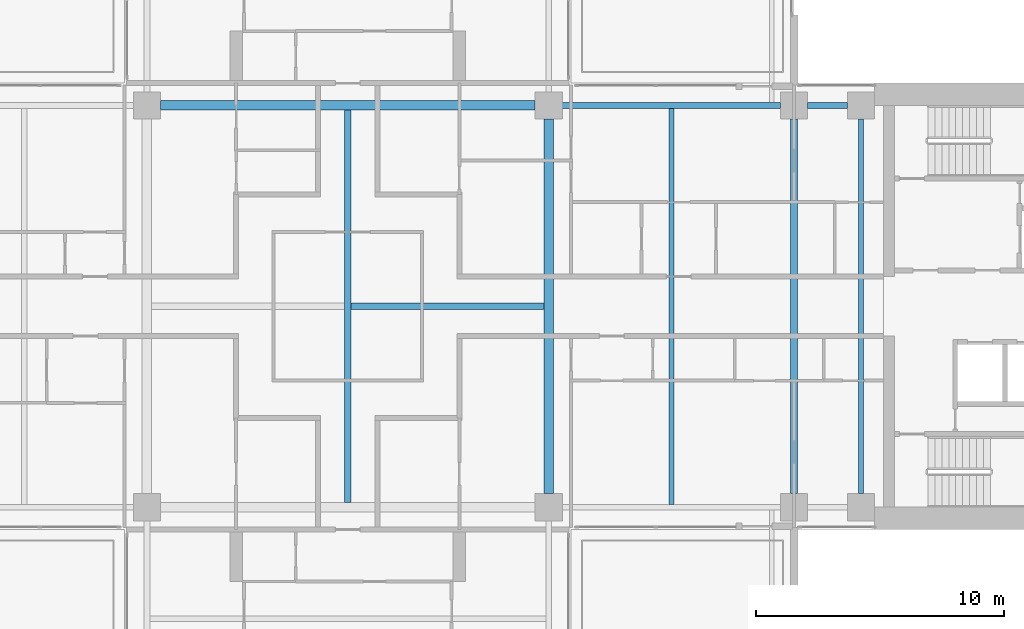
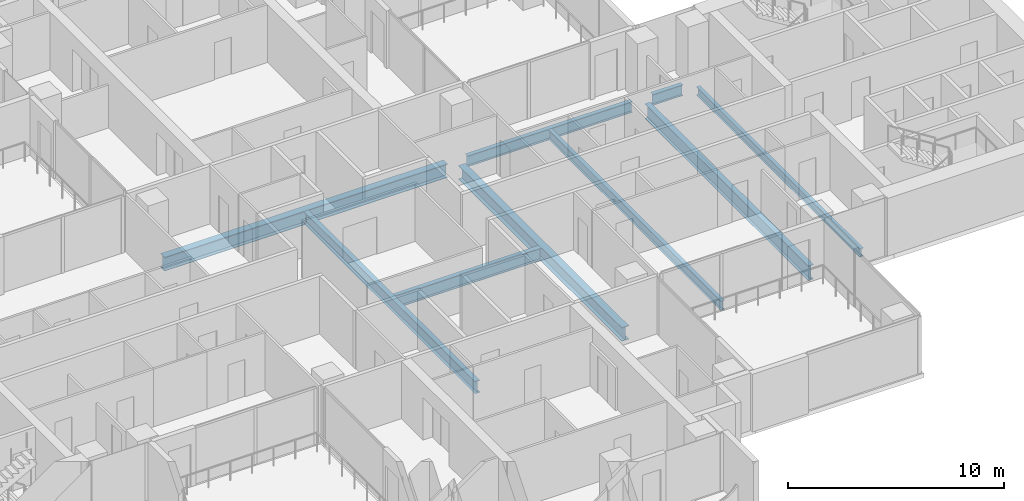
# One storey, part 4 of 18: 9 beams.
"""IFC4 building model written with IfcOpenShell, lengths in metres."""

from ifc_helpers import new_model, si_unit, direction, frame, origin, origin_2d, place, context, subcontext, project, spatial, i_section, extrude, material, material_profile, profile_set, type_object, element, save


model = new_model("IFC4")

# Units and contexts
model_context = context("Model", 3, precision=1e-05, world=origin(), true_north=direction((0.0, 1.0)))
body_context = subcontext(model_context, "Body", "Model", "MODEL_VIEW")
ifc_project = project(units=[si_unit("LENGTHUNIT", "METRE"), si_unit("AREAUNIT", "SQUARE_METRE"), si_unit("VOLUMEUNIT", "CUBIC_METRE"), si_unit("PLANEANGLEUNIT", "RADIAN"), si_unit("MASSUNIT", "GRAM", prefix="KILO")], contexts=[model_context])

# Site, building, storey
site_placement = place(None, origin())
site = spatial("IfcSite", under=ifc_project, at=site_placement, CompositionType="ELEMENT")
building_placement = place(site_placement, origin())
building = spatial("IfcBuilding", under=site, at=building_placement, Name="Perihelion Cross Residences", CompositionType="ELEMENT")
storey_placement = place(building_placement, frame((0.0, 0.0, 130.39990234375)))
storey = spatial("IfcBuildingStorey", under=building, at=storey_placement, Name="L31", CompositionType="ELEMENT", Elevation=130.39990234375)

# Beams
ifc_material_1 = material(Name="Steel S355", Category="steel")
ifc_material_profile_1 = material_profile(ifc_material_1, i_section(OverallWidth=0.194091796875, OverallDepth=0.469970703125, WebThickness=0.0126953125, FlangeThickness=0.0205078125, at=origin_2d()), Name="W460x106")
ifc_profile_set_1 = profile_set([ifc_material_profile_1], Name="Steel S355")
beam_type_1 = type_object("IfcBeamType", Name="Core edge beam W460x106", PredefinedType="BEAM", material=ifc_profile_set_1)
beam_1_placement = place(storey_placement, frame((20.699951171875, -7.550048828125, -0.48486328125), z_axis=(0.0, 1.0, 0.0), x_axis=(-1.0, 0.0, 0.0)))
element("IfcBeam", 1, at=beam_1_placement, inside=storey, type_object=beam_type_1, Name="Core edge beam TB5 L31 no. 2", PredefinedType="BEAM", context=body_context, shape_type="SweptSolid", body=[
    extrude(i_section(OverallWidth=0.194091796875, OverallDepth=0.469970703125, WebThickness=0.0126953125, FlangeThickness=0.0205078125, at=origin_2d()), origin(), (0.0, 0.0, 1.0), 15.10009765625),
])
ifc_material_2 = material(Name="Steel S355", Category="steel")
ifc_material_profile_2 = material_profile(ifc_material_2, i_section(OverallWidth=0.22900390625, OverallDepth=0.612060546875, WebThickness=0.011962890625, FlangeThickness=0.01953125, at=origin_2d()), Name="W610x125")
ifc_profile_set_2 = profile_set([ifc_material_profile_2], Name="Steel S355")
beam_type_2 = type_object("IfcBeamType", Name="Edge beam W610x125", PredefinedType="SPANDREL", material=ifc_profile_set_2)
beam_2_placement = place(storey_placement, frame((20.14990234375, 8.10009765625, -0.555908203125), z_axis=(-1.0, 0.0, 0.0), x_axis=(0.0, -1.0, 0.0)))
element("IfcBeam", 2, at=beam_2_placement, inside=storey, type_object=beam_type_2, Name="Edge beam SB3 L31 no. 13", PredefinedType="SPANDREL", context=body_context, shape_type="SweptSolid", body=[
    extrude(i_section(OverallWidth=0.22900390625, OverallDepth=0.612060546875, WebThickness=0.011962890625, FlangeThickness=0.01953125, at=origin_2d()), origin(), (0.0, 0.0, 1.0), 1.599853515625),
])
beam_3_placement = place(storey_placement, frame((17.449951171875, 8.10009765625, -0.555908203125), z_axis=(-1.0, 0.0, 0.0), x_axis=(0.0, -1.0, 0.0)))
element("IfcBeam", 3, at=beam_3_placement, inside=storey, type_object=beam_type_2, Name="Edge beam SB3 L31 no. 12", PredefinedType="SPANDREL", context=body_context, shape_type="SweptSolid", body=[
    extrude(i_section(OverallWidth=0.22900390625, OverallDepth=0.612060546875, WebThickness=0.011962890625, FlangeThickness=0.01953125, at=origin_2d()), origin(), (0.0, 0.0, 1.0), 8.800048828125),
])
ifc_material_3 = material(Name="Steel S355", Category="steel")
ifc_material_profile_3 = material_profile(ifc_material_3, i_section(OverallWidth=0.2919921875, OverallDepth=0.8359375, WebThickness=0.013916015625, FlangeThickness=0.018798828125, at=origin_2d()), Name="W840x176")
ifc_profile_set_3 = profile_set([ifc_material_profile_3], Name="Steel S355")
beam_type_3 = type_object("IfcBeamType", Name="Floor girder W840x176", PredefinedType="BEAM", material=ifc_profile_set_3)
beam_4_placement = place(storey_placement, frame((18.0, -7.550048828125, -0.66796875), z_axis=(0.0, 1.0, 0.0), x_axis=(-1.0, 0.0, 0.0)))
element("IfcBeam", 4, at=beam_4_placement, inside=storey, type_object=beam_type_3, Name="Girder G3 L31 no. 2", PredefinedType="BEAM", context=body_context, shape_type="SweptSolid", body=[
    extrude(i_section(OverallWidth=0.2919921875, OverallDepth=0.8359375, WebThickness=0.013916015625, FlangeThickness=0.018798828125, at=origin_2d()), origin(), (0.0, 0.0, 1.0), 15.10009765625),
])
ifc_material_4 = material(Name="Steel S355", Category="steel")
ifc_material_profile_4 = material_profile(ifc_material_4, i_section(OverallWidth=0.208984375, OverallDepth=0.532958984375, WebThickness=0.01025390625, FlangeThickness=0.015625, at=origin_2d()), Name="W530x92")
ifc_profile_set_4 = profile_set([ifc_material_profile_4], Name="Steel S355")
beam_type_4 = type_object("IfcBeamType", Name="Floor joist W530x92", PredefinedType="JOIST", material=ifc_profile_set_4)
beam_5_placement = place(storey_placement, frame((13.050048828125, -7.985595703125, -0.516357421875), z_axis=(0.0, 1.0, 0.0), x_axis=(-1.0, 0.0, 0.0)))
element("IfcBeam", 5, at=beam_5_placement, inside=storey, type_object=beam_type_4, Name="Joist J4 L31 no. 2", PredefinedType="JOIST", context=body_context, shape_type="SweptSolid", body=[
    extrude(i_section(OverallWidth=0.208984375, OverallDepth=0.532958984375, WebThickness=0.01025390625, FlangeThickness=0.015625, at=origin_2d()), origin(), (0.0, 0.0, 1.0), 15.97119140625),
])
ifc_material_5 = material(Name="Steel S355", Category="steel")
ifc_material_profile_5 = material_profile(ifc_material_5, i_section(OverallWidth=0.257080078125, OverallDepth=0.693115234375, WebThickness=0.014404296875, FlangeThickness=0.023681640625, at=origin_2d()), Name="W690x170")
ifc_profile_set_5 = profile_set([ifc_material_profile_5], Name="Steel S355")
beam_type_5 = type_object("IfcBeamType", Name="Hub cross beam W690x170", PredefinedType="BEAM", material=ifc_profile_set_5)
beam_6_placement = place(storey_placement, frame((0.0, -7.909423828125, -0.596435546875), z_axis=(0.0, 1.0, 0.0), x_axis=(-1.0, 0.0, 0.0)))
element("IfcBeam", 6, at=beam_6_placement, inside=storey, type_object=beam_type_5, Name="Hub cross beam XB3 L31 no. 1", PredefinedType="BEAM", context=body_context, shape_type="SweptSolid", body=[
    extrude(i_section(OverallWidth=0.257080078125, OverallDepth=0.693115234375, WebThickness=0.014404296875, FlangeThickness=0.023681640625, at=origin_2d()), origin(), (0.0, 0.0, 1.0), 15.81884765625),
])
beam_7_placement = place(storey_placement, frame((0.12841796875, 0.0, -0.596435546875), z_axis=(1.0, 0.0, 0.0), x_axis=(0.0, 1.0, 0.0)))
element("IfcBeam", 7, at=beam_7_placement, inside=storey, type_object=beam_type_5, Name="Hub cross beam XB3 L31 2 no. 1", PredefinedType="BEAM", context=body_context, shape_type="SweptSolid", body=[
    extrude(i_section(OverallWidth=0.257080078125, OverallDepth=0.693115234375, WebThickness=0.014404296875, FlangeThickness=0.023681640625, at=origin_2d()), origin(), (0.0, 0.0, 1.0), 7.781005859375),
])
ifc_material_6 = material(Name="Steel S355", Category="steel")
ifc_material_profile_6 = material_profile(ifc_material_6, i_section(OverallWidth=0.381103515625, OverallDepth=0.77197265625, WebThickness=0.0166015625, FlangeThickness=0.027099609375, at=origin_2d()), Name="W760x257")
ifc_profile_set_6 = profile_set([ifc_material_profile_6], Name="Steel S355")
beam_type_6 = type_object("IfcBeamType", Name="Hub ring girder W760x257", PredefinedType="BEAM", material=ifc_profile_set_6)
for number, where, z_axis, x_axis, name in (
    (8, (8.10009765625, -7.550048828125, -0.635986328125), (0.0, 1.0, 0.0), (-1.0, 0.0, 0.0), "Hub ring girder RG3 L31 no. 3"),
    (9, (7.550048828125, 8.10009765625, -0.635986328125), (-1.0, 0.0, 0.0), (0.0, -1.0, 0.0), "Hub ring girder RG3 L31 no. 4"),
):
    element("IfcBeam", number, at=place(storey_placement, frame(where, z_axis=z_axis, x_axis=x_axis)), inside=storey, type_object=beam_type_6, Name=name, PredefinedType="BEAM", context=body_context, shape_type="SweptSolid", body=[
        extrude(i_section(OverallWidth=0.381103515625, OverallDepth=0.77197265625, WebThickness=0.0166015625, FlangeThickness=0.027099609375, at=origin_2d()), origin(), (0.0, 0.0, 1.0), 15.10009765625),
    ])

save(model, "model.ifc")
